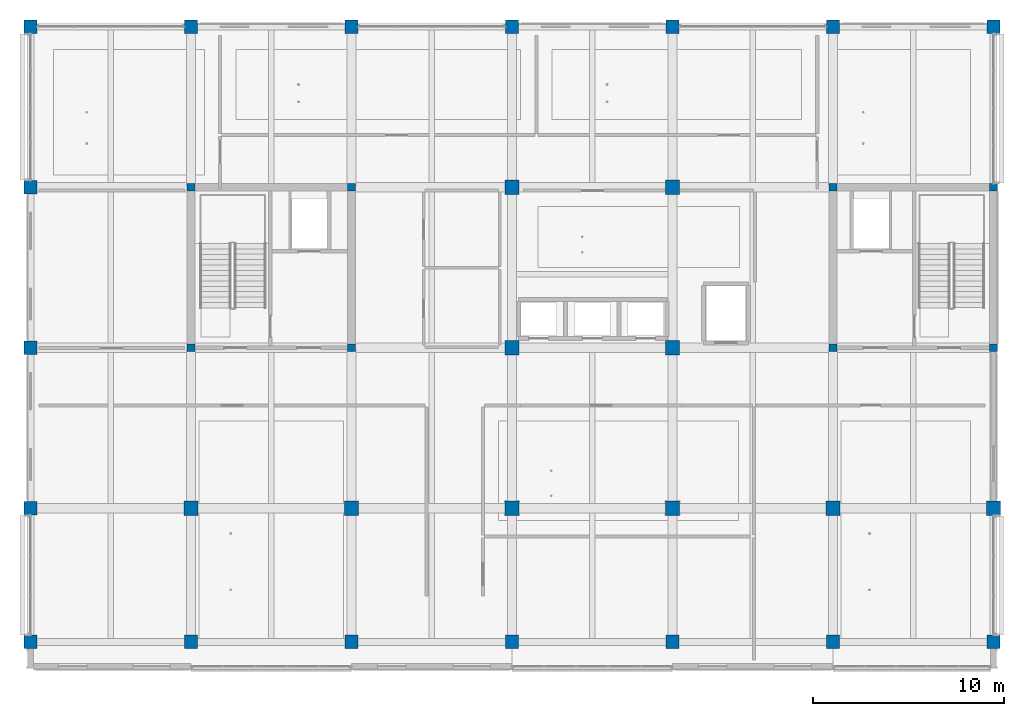
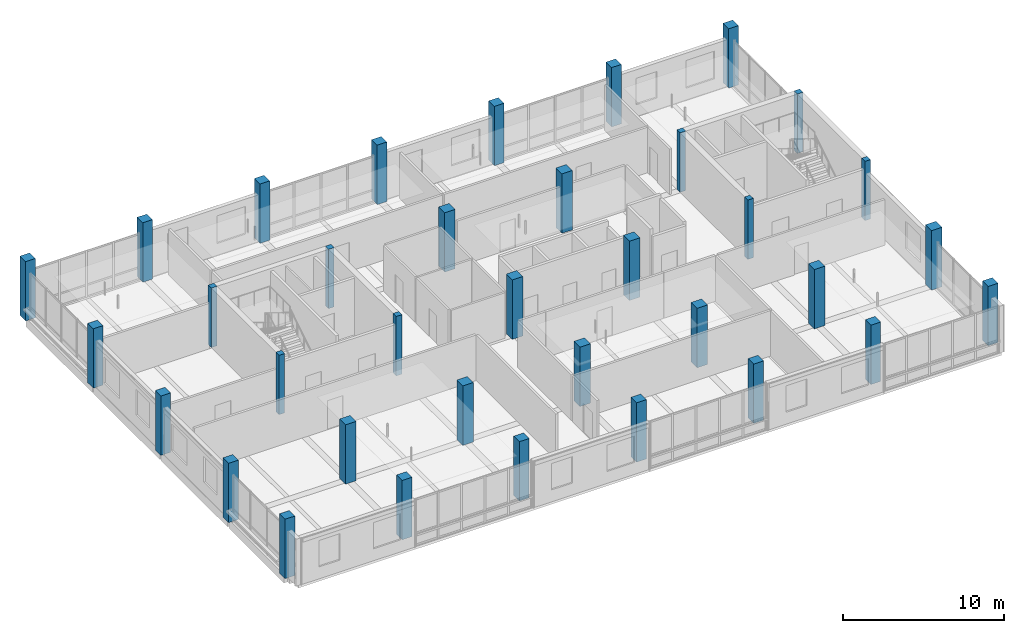
# One storey, part 1 of 35: 35 columns.
"""IFC4 building model written with IfcOpenShell, lengths in metres."""

from ifc_helpers import new_model, si_unit, direction, frame, origin, origin_2d, place, context, subcontext, project, spatial, rectangle, extrude, material, material_profile, profile_set, type_object, element, save


model = new_model("IFC4")

# Units and contexts
model_context = context("Model", 3, precision=1e-05, world=origin(), true_north=direction((0.0, 1.0)))
body_context = subcontext(model_context, "Body", "Model", "MODEL_VIEW")
ifc_project = project(units=[si_unit("LENGTHUNIT", "METRE"), si_unit("AREAUNIT", "SQUARE_METRE"), si_unit("VOLUMEUNIT", "CUBIC_METRE"), si_unit("PLANEANGLEUNIT", "RADIAN"), si_unit("MASSUNIT", "GRAM", prefix="KILO")], contexts=[model_context])

# Site, building, storey
site_placement = place(None, origin())
site = spatial("IfcSite", under=ifc_project, at=site_placement, CompositionType="ELEMENT")
building_placement = place(site_placement, origin())
building = spatial("IfcBuilding", under=site, at=building_placement, Name="Telukmera Botanical Conservatory", CompositionType="ELEMENT")
storey_placement = place(building_placement, frame((0.0, 0.0, 46.5)))
storey = spatial("IfcBuildingStorey", under=building, at=storey_placement, Name="L10", CompositionType="ELEMENT", Elevation=46.5)

# Columns
ifc_material_1 = material(Name="Concrete C50/60", Category="concrete")
ifc_material_profile_1 = material_profile(ifc_material_1, rectangle(XDim=0.39990234375, YDim=0.39990234375, at=origin_2d()), Name="RC 400x400")
ifc_profile_set_1 = profile_set([ifc_material_profile_1], Name="Concrete C50/60")
column_type_1 = type_object("IfcColumnType", Name="Col_C14", PredefinedType="COLUMN", material=ifc_profile_set_1)
for number, where, z_axis, x_axis, name in (
    (1, (58.800048828125, 26.0, 0.0), (0.0, 0.0, 1.0), (1.0, 0.0, 0.0), "Column V4-L10 (58.8,26.0)"),
    (2, (58.800048828125, 34.39990234375, 0.0), (0.0, 0.0, 1.0), (1.0, 0.0, 0.0), "Column V4-L10 (58.8,34.4)"),
    (3, (67.199951171875, 26.0, 0.0), (0.0, 0.0, 1.0), (1.0, 0.0, 0.0), "Column V4-L10 (67.2,26.0)"),
    (4, (67.199951171875, 34.39990234375, 0.0), (0.0, 0.0, 1.0), (1.0, 0.0, 0.0), "Column V4-L10 (67.2,34.4)"),
    (5, (92.39990234375, 26.0, 0.0), (0.0, 0.0, 1.0), (1.0, 0.0, 0.0), "Column V4-L10 (92.4,26.0)"),
    (6, (92.39990234375, 34.39990234375, 0.0), (0.0, 0.0, 1.0), (1.0, 0.0, 0.0), "Column V4-L10 (92.4,34.4)"),
    (7, (100.800048828125, 26.0, 0.0), (0.0, 0.0, 1.0), (1.0, 0.0, 0.0), "Column V4-L10 (100.8,26.0)"),
    (8, (100.800048828125, 34.39990234375, 0.0), (0.0, 0.0, 1.0), (1.0, 0.0, 0.0), "Column V4-L10 (100.8,34.4)"),
):
    element("IfcColumn", number, at=place(storey_placement, frame(where, z_axis=z_axis, x_axis=x_axis)), inside=storey, type_object=column_type_1, Name=name, PredefinedType="COLUMN", context=body_context, shape_type="SweptSolid", body=[
        extrude(rectangle(XDim=0.39990234375, YDim=0.39990234375, at=origin_2d()), origin(), (0.0, 0.0, 1.0), 4.5),
    ])
ifc_material_2 = material(Name="Concrete C40/50", Category="concrete")
ifc_material_profile_2 = material_profile(ifc_material_2, rectangle(XDim=0.75, YDim=0.75, at=origin_2d()), Name="RC 750x750")
ifc_profile_set_2 = profile_set([ifc_material_profile_2], Name="Concrete C40/50")
column_type_2 = type_object("IfcColumnType", Name="Col_C8", PredefinedType="COLUMN", material=ifc_profile_set_2)
for number, where, z_axis, x_axis, name in (
    (9, (58.800048828125, 17.60009765625, 0.0), (0.0, 0.0, 1.0), (1.0, 0.0, 0.0), "Column V4-L10 (58.8,17.6)"),
    (10, (67.199951171875, 17.60009765625, 0.0), (0.0, 0.0, 1.0), (1.0, 0.0, 0.0), "Column V4-L10 (67.2,17.6)"),
    (11, (75.60009765625, 17.60009765625, 0.0), (0.0, 0.0, 1.0), (1.0, 0.0, 0.0), "Column V4-L10 (75.6,17.6)"),
    (12, (75.60009765625, 26.0, 0.0), (0.0, 0.0, 1.0), (1.0, 0.0, 0.0), "Column V4-L10 (75.6,26.0)"),
    (13, (75.60009765625, 34.39990234375, 0.0), (0.0, 0.0, 1.0), (1.0, 0.0, 0.0), "Column V4-L10 (75.6,34.4)"),
    (14, (84.0, 17.60009765625, 0.0), (0.0, 0.0, 1.0), (1.0, 0.0, 0.0), "Column V4-L10 (84.0,17.6)"),
    (15, (84.0, 26.0, 0.0), (0.0, 0.0, 1.0), (1.0, 0.0, 0.0), "Column V4-L10 (84.0,26.0)"),
    (16, (84.0, 34.39990234375, 0.0), (0.0, 0.0, 1.0), (1.0, 0.0, 0.0), "Column V4-L10 (84.0,34.4)"),
    (17, (92.39990234375, 17.60009765625, 0.0), (0.0, 0.0, 1.0), (1.0, 0.0, 0.0), "Column V4-L10 (92.4,17.6)"),
    (18, (100.800048828125, 17.60009765625, 0.0), (0.0, 0.0, 1.0), (1.0, 0.0, 0.0), "Column V4-L10 (100.8,17.6)"),
):
    element("IfcColumn", number, at=place(storey_placement, frame(where, z_axis=z_axis, x_axis=x_axis)), inside=storey, type_object=column_type_2, Name=name, PredefinedType="COLUMN", context=body_context, shape_type="SweptSolid", body=[
        extrude(rectangle(XDim=0.75, YDim=0.75, at=origin_2d()), origin(), (0.0, 0.0, 1.0), 4.5),
    ])
ifc_material_profile_3 = material_profile(ifc_material_2, rectangle(XDim=0.699951171875, YDim=0.699951171875, at=origin_2d()), Name="RC 700x700")
ifc_profile_set_3 = profile_set([ifc_material_profile_3], Name="Concrete C40/50")
column_type_3 = type_object("IfcColumnType", Name="Col_C9", PredefinedType="COLUMN", material=ifc_profile_set_3)
for number, where, z_axis, x_axis, name in (
    (19, (50.39990234375, 10.60009765625, 0.0), (0.0, 0.0, 1.0), (1.0, 0.0, 0.0), "Column V4-L10 (50.4,10.6)"),
    (20, (50.39990234375, 17.60009765625, 0.0), (0.0, 0.0, 1.0), (1.0, 0.0, 0.0), "Column V4-L10 (50.4,17.6)"),
    (21, (50.39990234375, 26.0, 0.0), (0.0, 0.0, 1.0), (1.0, 0.0, 0.0), "Column V4-L10 (50.4,26.0)"),
    (22, (50.39990234375, 34.39990234375, 0.0), (0.0, 0.0, 1.0), (1.0, 0.0, 0.0), "Column V4-L10 (50.4,34.4)"),
    (23, (50.39990234375, 42.800048828125, 0.0), (0.0, 0.0, 1.0), (1.0, 0.0, 0.0), "Column V4-L10 (50.4,42.8)"),
    (24, (58.800048828125, 10.60009765625, 0.0), (0.0, 0.0, 1.0), (1.0, 0.0, 0.0), "Column V4-L10 (58.8,10.6)"),
    (25, (58.800048828125, 42.800048828125, 0.0), (0.0, 0.0, 1.0), (1.0, 0.0, 0.0), "Column V4-L10 (58.8,42.8)"),
    (26, (67.199951171875, 10.60009765625, 0.0), (0.0, 0.0, 1.0), (1.0, 0.0, 0.0), "Column V4-L10 (67.2,10.6)"),
    (27, (67.199951171875, 42.800048828125, 0.0), (0.0, 0.0, 1.0), (1.0, 0.0, 0.0), "Column V4-L10 (67.2,42.8)"),
    (28, (75.60009765625, 10.60009765625, 0.0), (0.0, 0.0, 1.0), (1.0, 0.0, 0.0), "Column V4-L10 (75.6,10.6)"),
    (29, (75.60009765625, 42.800048828125, 0.0), (0.0, 0.0, 1.0), (1.0, 0.0, 0.0), "Column V4-L10 (75.6,42.8)"),
    (30, (84.0, 10.60009765625, 0.0), (0.0, 0.0, 1.0), (1.0, 0.0, 0.0), "Column V4-L10 (84.0,10.6)"),
    (31, (84.0, 42.800048828125, 0.0), (0.0, 0.0, 1.0), (1.0, 0.0, 0.0), "Column V4-L10 (84.0,42.8)"),
    (32, (92.39990234375, 10.60009765625, 0.0), (0.0, 0.0, 1.0), (1.0, 0.0, 0.0), "Column V4-L10 (92.4,10.6)"),
    (33, (92.39990234375, 42.800048828125, 0.0), (0.0, 0.0, 1.0), (1.0, 0.0, 0.0), "Column V4-L10 (92.4,42.8)"),
    (34, (100.800048828125, 10.60009765625, 0.0), (0.0, 0.0, 1.0), (1.0, 0.0, 0.0), "Column V4-L10 (100.8,10.6)"),
    (35, (100.800048828125, 42.800048828125, 0.0), (0.0, 0.0, 1.0), (1.0, 0.0, 0.0), "Column V4-L10 (100.8,42.8)"),
):
    element("IfcColumn", number, at=place(storey_placement, frame(where, z_axis=z_axis, x_axis=x_axis)), inside=storey, type_object=column_type_3, Name=name, PredefinedType="COLUMN", context=body_context, shape_type="SweptSolid", body=[
        extrude(rectangle(XDim=0.699951171875, YDim=0.699951171875, at=origin_2d()), origin(), (0.0, 0.0, 1.0), 4.5),
    ])

save(model, "model.ifc")
